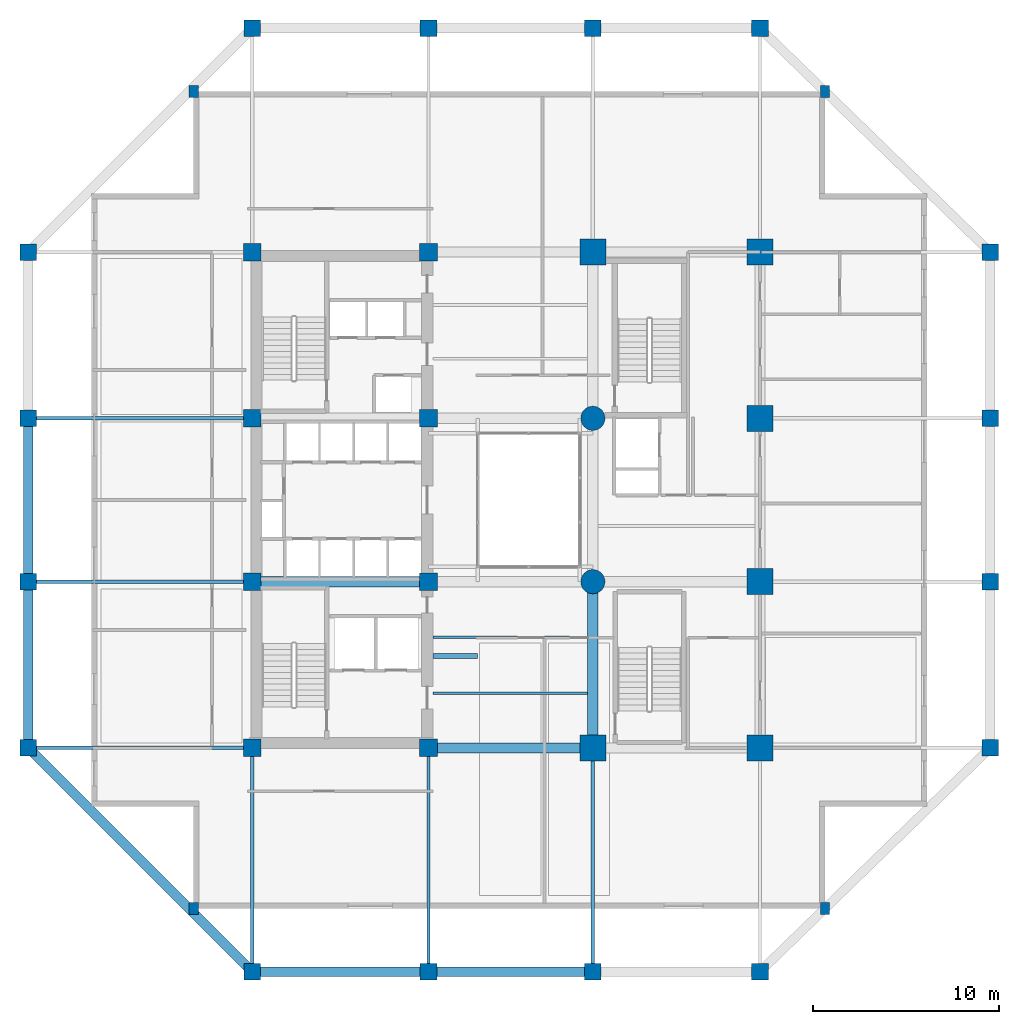
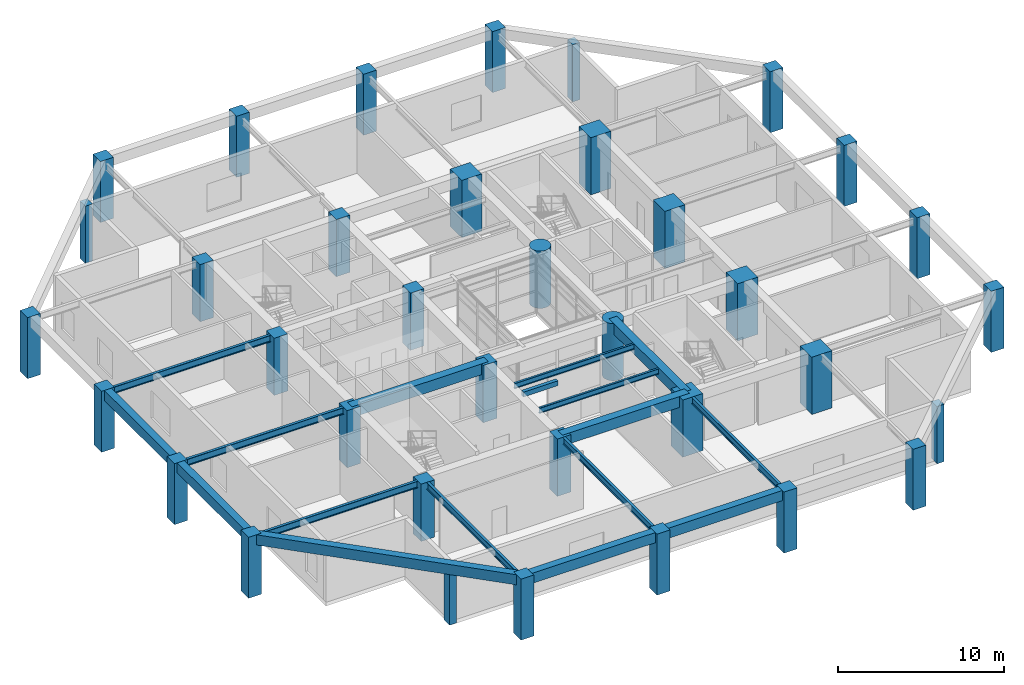
# One storey, part 1 of 13: 36 columns, 17 beams.
"""IFC4 building model written with IfcOpenShell, lengths in metres."""

from ifc_helpers import new_model, si_unit, direction, frame, origin, origin_2d, place, context, subcontext, project, spatial, rectangle, circle, i_section, extrude, material, material_profile, profile_set, type_object, element, save


model = new_model("IFC4")

# Units and contexts
model_context = context("Model", 3, precision=1e-05, world=origin(), true_north=direction((0.0, 1.0)))
body_context = subcontext(model_context, "Body", "Model", "MODEL_VIEW")
ifc_project = project(units=[si_unit("LENGTHUNIT", "METRE"), si_unit("AREAUNIT", "SQUARE_METRE"), si_unit("VOLUMEUNIT", "CUBIC_METRE"), si_unit("PLANEANGLEUNIT", "RADIAN"), si_unit("MASSUNIT", "GRAM", prefix="KILO")], contexts=[model_context])

# Site, building, storey
site_placement = place(None, origin())
site = spatial("IfcSite", under=ifc_project, at=site_placement, CompositionType="ELEMENT")
building_placement = place(site_placement, origin())
building = spatial("IfcBuilding", under=site, at=building_placement, Name="Kundavana Baori Tower", CompositionType="ELEMENT")
storey_placement = place(building_placement, frame((0.0, 0.0, 17.0)))
storey = spatial("IfcBuildingStorey", under=building, at=storey_placement, Name="L03", CompositionType="ELEMENT", Elevation=17.0)

# Columns
ifc_material_1 = material(Name="Concrete C60/75", Category="concrete")
ifc_material_profile_1 = material_profile(ifc_material_1, rectangle(XDim=0.89990234375, YDim=0.89990234375, at=origin_2d()), Name="RC PF 900x900")
ifc_profile_set_1 = profile_set([ifc_material_profile_1], Name="Concrete C60/75")
column_type_1 = type_object("IfcColumnType", Name="COL-PF-900", PredefinedType="COLUMN", material=ifc_profile_set_1)
for number, where, z_axis, x_axis, name in (
    (1, (15.449951171875, 3.199951171875, 0.0), (0.0, 0.0, 1.0), (1.0, 0.0, 0.0), "L03 Stone-Clad Perimeter Frame Column PF-S1"),
    (2, (15.449951171875, 54.0, 0.0), (0.0, 0.0, 1.0), (1.0, 0.0, 0.0), "L03 Stone-Clad Perimeter Frame Column PF-N1"),
    (3, (24.949951171875, 3.199951171875, 0.0), (0.0, 0.0, 1.0), (1.0, 0.0, 0.0), "L03 Stone-Clad Perimeter Frame Column PF-S2"),
    (4, (24.949951171875, 54.0, 0.0), (0.0, 0.0, 1.0), (1.0, 0.0, 0.0), "L03 Stone-Clad Perimeter Frame Column PF-N2"),
    (5, (33.800048828125, 3.199951171875, 0.0), (0.0, 0.0, 1.0), (1.0, 0.0, 0.0), "L03 Stone-Clad Perimeter Frame Column PF-S3"),
    (6, (33.800048828125, 54.0, 0.0), (0.0, 0.0, 1.0), (1.0, 0.0, 0.0), "L03 Stone-Clad Perimeter Frame Column PF-N3"),
    (7, (42.800048828125, 3.199951171875, 0.0), (0.0, 0.0, 1.0), (1.0, 0.0, 0.0), "L03 Stone-Clad Perimeter Frame Column PF-S4"),
    (8, (42.800048828125, 54.0, 0.0), (0.0, 0.0, 1.0), (1.0, 0.0, 0.0), "L03 Stone-Clad Perimeter Frame Column PF-N4"),
    (9, (3.39990234375, 15.25, 0.0), (0.0, 0.0, 1.0), (1.0, 0.0, 0.0), "L03 Stone-Clad Perimeter Frame Column PF-W1"),
    (10, (55.199951171875, 15.25, 0.0), (0.0, 0.0, 1.0), (1.0, 0.0, 0.0), "L03 Stone-Clad Perimeter Frame Column PF-E1"),
    (11, (3.39990234375, 24.199951171875, 0.0), (0.0, 0.0, 1.0), (1.0, 0.0, 0.0), "L03 Stone-Clad Perimeter Frame Column PF-W2"),
    (12, (55.199951171875, 24.199951171875, 0.0), (0.0, 0.0, 1.0), (1.0, 0.0, 0.0), "L03 Stone-Clad Perimeter Frame Column PF-E2"),
    (13, (3.39990234375, 33.0, 0.0), (0.0, 0.0, 1.0), (1.0, 0.0, 0.0), "L03 Stone-Clad Perimeter Frame Column PF-W3"),
    (14, (55.199951171875, 33.0, 0.0), (0.0, 0.0, 1.0), (1.0, 0.0, 0.0), "L03 Stone-Clad Perimeter Frame Column PF-E3"),
    (15, (3.39990234375, 41.949951171875, 0.0), (0.0, 0.0, 1.0), (1.0, 0.0, 0.0), "L03 Stone-Clad Perimeter Frame Column PF-W4"),
    (16, (55.199951171875, 41.949951171875, 0.0), (0.0, 0.0, 1.0), (1.0, 0.0, 0.0), "L03 Stone-Clad Perimeter Frame Column PF-E4"),
):
    element("IfcColumn", number, at=place(storey_placement, frame(where, z_axis=z_axis, x_axis=x_axis)), inside=storey, type_object=column_type_1, Name=name, PredefinedType="COLUMN", context=body_context, shape_type="SweptSolid", body=[
        extrude(rectangle(XDim=0.89990234375, YDim=0.89990234375, at=origin_2d()), origin(), (0.0, 0.0, 1.0), 4.5),
    ])
ifc_material_2 = material(Name="Concrete C50/60", Category="concrete")
ifc_material_profile_2 = material_profile(ifc_material_2, rectangle(XDim=0.5, YDim=0.64990234375, at=origin_2d()), Name="RC PIL 500x650")
ifc_profile_set_2 = profile_set([ifc_material_profile_2], Name="Concrete C50/60")
column_type_2 = type_object("IfcColumnType", Name="COL-PIL-500", PredefinedType="PILASTER", material=ifc_profile_set_2)
for number, where, z_axis, x_axis, name in (
    (17, (12.300048828125, 6.60009765625, 0.0), (0.0, 0.0, 1.0), (1.0, 0.0, 0.0), "L03 Corner Notch Pilaster 1"),
    (18, (46.300048828125, 6.60009765625, 0.0), (0.0, 0.0, 1.0), (1.0, 0.0, 0.0), "L03 Corner Notch Pilaster 2"),
    (19, (46.300048828125, 50.60009765625, 0.0), (0.0, 0.0, 1.0), (1.0, 0.0, 0.0), "L03 Corner Notch Pilaster 3"),
    (20, (12.300048828125, 50.60009765625, 0.0), (0.0, 0.0, 1.0), (1.0, 0.0, 0.0), "L03 Corner Notch Pilaster 4"),
):
    element("IfcColumn", number, at=place(storey_placement, frame(where, z_axis=z_axis, x_axis=x_axis)), inside=storey, type_object=column_type_2, Name=name, PredefinedType="PILASTER", context=body_context, shape_type="SweptSolid", body=[
        extrude(rectangle(XDim=0.5, YDim=0.64990234375, at=origin_2d()), origin(), (0.0, 0.0, 1.0), 4.219970703125),
    ])
ifc_material_3 = material(Name="Concrete C60/75", Category="concrete")
ifc_material_profile_3 = material_profile(ifc_material_3, rectangle(XDim=1.39990234375, YDim=1.39990234375, at=origin_2d()), Name="RC 1400x1400")
ifc_profile_set_3 = profile_set([ifc_material_profile_3], Name="Concrete C60/75")
column_type_3 = type_object("IfcColumnType", Name="COL-RC-1400", PredefinedType="COLUMN", material=ifc_profile_set_3)
for number, where, z_axis, x_axis, name in (
    (21, (33.800048828125, 15.25, 0.0), (0.0, 0.0, 1.0), (1.0, 0.0, 0.0), "L03 Interior Column IC-5C"),
    (22, (33.800048828125, 41.949951171875, 0.0), (0.0, 0.0, 1.0), (1.0, 0.0, 0.0), "L03 Interior Column IC-5F"),
    (23, (42.800048828125, 15.25, 0.0), (0.0, 0.0, 1.0), (1.0, 0.0, 0.0), "L03 Interior Column IC-6C"),
    (24, (42.800048828125, 24.199951171875, 0.0), (0.0, 0.0, 1.0), (1.0, 0.0, 0.0), "L03 Interior Column IC-6D"),
    (25, (42.800048828125, 33.0, 0.0), (0.0, 0.0, 1.0), (1.0, 0.0, 0.0), "L03 Interior Column IC-6E"),
    (26, (42.800048828125, 41.949951171875, 0.0), (0.0, 0.0, 1.0), (1.0, 0.0, 0.0), "L03 Interior Column IC-6F"),
):
    element("IfcColumn", number, at=place(storey_placement, frame(where, z_axis=z_axis, x_axis=x_axis)), inside=storey, type_object=column_type_3, Name=name, PredefinedType="COLUMN", context=body_context, shape_type="SweptSolid", body=[
        extrude(rectangle(XDim=1.39990234375, YDim=1.39990234375, at=origin_2d()), origin(), (0.0, 0.0, 1.0), 4.219970703125),
    ])
ifc_material_4 = material(Name="Concrete C50/60", Category="concrete")
ifc_material_profile_4 = material_profile(ifc_material_4, rectangle(XDim=0.949951171875, YDim=0.949951171875, at=origin_2d()), Name="RC 950x950")
ifc_profile_set_4 = profile_set([ifc_material_profile_4], Name="Concrete C50/60")
column_type_4 = type_object("IfcColumnType", Name="COL-RC-950", PredefinedType="COLUMN", material=ifc_profile_set_4)
for number, where, z_axis, x_axis, name in (
    (27, (15.449951171875, 15.25, 0.0), (0.0, 0.0, 1.0), (1.0, 0.0, 0.0), "L03 Interior Column IC-3C"),
    (28, (15.449951171875, 24.199951171875, 0.0), (0.0, 0.0, 1.0), (1.0, 0.0, 0.0), "L03 Interior Column IC-3D"),
    (29, (15.449951171875, 33.0, 0.0), (0.0, 0.0, 1.0), (1.0, 0.0, 0.0), "L03 Interior Column IC-3E"),
    (30, (15.449951171875, 41.949951171875, 0.0), (0.0, 0.0, 1.0), (1.0, 0.0, 0.0), "L03 Interior Column IC-3F"),
    (31, (24.949951171875, 15.25, 0.0), (0.0, 0.0, 1.0), (1.0, 0.0, 0.0), "L03 Interior Column IC-4C"),
    (32, (24.949951171875, 24.199951171875, 0.0), (0.0, 0.0, 1.0), (1.0, 0.0, 0.0), "L03 Interior Column IC-4D"),
    (33, (24.949951171875, 33.0, 0.0), (0.0, 0.0, 1.0), (1.0, 0.0, 0.0), "L03 Interior Column IC-4E"),
    (34, (24.949951171875, 41.949951171875, 0.0), (0.0, 0.0, 1.0), (1.0, 0.0, 0.0), "L03 Interior Column IC-4F"),
):
    element("IfcColumn", number, at=place(storey_placement, frame(where, z_axis=z_axis, x_axis=x_axis)), inside=storey, type_object=column_type_4, Name=name, PredefinedType="COLUMN", context=body_context, shape_type="SweptSolid", body=[
        extrude(rectangle(XDim=0.949951171875, YDim=0.949951171875, at=origin_2d()), origin(), (0.0, 0.0, 1.0), 4.219970703125),
    ])
ifc_material_5 = material(Name="Concrete C60/75", Category="concrete")
ifc_material_profile_5 = material_profile(ifc_material_5, circle(Radius=0.64990234375, at=origin_2d()), Name="RC D1300")
ifc_profile_set_5 = profile_set([ifc_material_profile_5], Name="Concrete C60/75")
column_type_5 = type_object("IfcColumnType", Name="COL-RC-D1300", PredefinedType="COLUMN", material=ifc_profile_set_5)
for number, where, z_axis, x_axis, name in (
    (35, (33.800048828125, 24.199951171875, 0.0), (0.0, 0.0, 1.0), (1.0, 0.0, 0.0), "L03 Interior Column IC-5D"),
    (36, (33.800048828125, 33.0, 0.0), (0.0, 0.0, 1.0), (1.0, 0.0, 0.0), "L03 Interior Column IC-5E"),
):
    element("IfcColumn", number, at=place(storey_placement, frame(where, z_axis=z_axis, x_axis=x_axis)), inside=storey, type_object=column_type_5, Name=name, PredefinedType="COLUMN", context=body_context, shape_type="SweptSolid", body=[
        extrude(circle(Radius=0.64990234375, at=origin_2d()), origin(), (0.0, 0.0, 1.0), 4.219970703125),
    ])

# Beams
ifc_material_6 = material(Name="Structural Steel S355JR", Category="steel")
ifc_material_profile_6 = material_profile(ifc_material_6, i_section(OverallWidth=0.139892578125, OverallDepth=0.39990234375, WebThickness=0.0087890625, FlangeThickness=0.01611328125, FilletRadius=0.013916015625, at=origin_2d()), Name="ISMB 400")
ifc_profile_set_6 = profile_set([ifc_material_profile_6], Name="Structural Steel S355JR")
beam_type_1 = type_object("IfcBeamType", Name="BM-JST-400", PredefinedType="JOIST", material=ifc_profile_set_6)
for number, where, z_axis, x_axis, name in (
    (37, (25.179931640625, 18.199951171875, 4.02001953125), (1.0, 0.0, 0.0), (0.0, 1.0, 0.0), "L03 Central Bay Composite Floor Joist C1"),
    (38, (25.179931640625, 21.199951171875, 4.02001953125), (1.0, 0.0, 0.0), (0.0, 1.0, 0.0), "L03 Central Bay Composite Floor Joist C2"),
):
    element("IfcBeam", number, at=place(storey_placement, frame(where, z_axis=z_axis, x_axis=x_axis)), inside=storey, type_object=beam_type_1, Name=name, PredefinedType="JOIST", context=body_context, shape_type="SweptSolid", body=[
        extrude(i_section(OverallWidth=0.139892578125, OverallDepth=0.39990234375, WebThickness=0.0087890625, FlangeThickness=0.01611328125, FilletRadius=0.013916015625, at=origin_2d()), origin(), (0.0, 0.0, 1.0), 8.344970703125),
    ])
ifc_material_7 = material(Name="Concrete C40/50", Category="concrete")
ifc_material_profile_7 = material_profile(ifc_material_7, rectangle(XDim=0.25, YDim=0.35009765625, at=origin_2d()), Name="RC LNT 250x350")
ifc_profile_set_7 = profile_set([ifc_material_profile_7], Name="Concrete C40/50")
beam_type_2 = type_object("IfcBeamType", Name="BM-LNT-350", PredefinedType="LINTEL", material=ifc_profile_set_7)
beam_1_placement = place(storey_placement, frame((25.179931640625, 20.199951171875, 4.044921875), z_axis=(1.0, 0.0, 0.0), x_axis=(0.0, 1.0, 0.0)))
element("IfcBeam", 39, at=beam_1_placement, inside=storey, type_object=beam_type_2, Name="L03 Atrium Gallery Portal Lintel Beam", PredefinedType="LINTEL", context=body_context, shape_type="SweptSolid", body=[
    extrude(rectangle(XDim=0.25, YDim=0.35009765625, at=origin_2d()), origin(), (0.0, 0.0, 1.0), 2.420166015625),
])
ifc_material_8 = material(Name="Concrete C50/60", Category="concrete")
ifc_material_profile_8 = material_profile(ifc_material_8, rectangle(XDim=0.5, YDim=0.75, at=origin_2d()), Name="RC BM 500x750")
ifc_profile_set_8 = profile_set([ifc_material_profile_8], Name="Concrete C50/60")
beam_type_3 = type_object("IfcBeamType", Name="BM-PF-750", PredefinedType="SPANDREL", material=ifc_profile_set_8)
beam_2_placement = place(storey_placement, frame((15.449951171875, 3.199951171875, 4.125), z_axis=(1.0, 0.0, 0.0), x_axis=(0.0, 1.0, 0.0)))
element("IfcBeam", 40, at=beam_2_placement, inside=storey, type_object=beam_type_3, Name="L03 Perimeter Frame Ring Beam S1", PredefinedType="SPANDREL", context=body_context, shape_type="SweptSolid", body=[
    extrude(rectangle(XDim=0.5, YDim=0.75, at=origin_2d()), origin(), (0.0, 0.0, 1.0), 9.5),
])
beam_3_placement = place(storey_placement, frame((24.949951171875, 3.199951171875, 4.125), z_axis=(1.0, 0.0, 0.0), x_axis=(0.0, 1.0, 0.0)))
element("IfcBeam", 41, at=beam_3_placement, inside=storey, type_object=beam_type_3, Name="L03 Perimeter Frame Ring Beam S2", PredefinedType="SPANDREL", context=body_context, shape_type="SweptSolid", body=[
    extrude(rectangle(XDim=0.5, YDim=0.75, at=origin_2d()), origin(), (0.0, 0.0, 1.0), 8.85009765625),
])
beam_4_placement = place(storey_placement, frame((3.39990234375, 15.25, 4.125), z_axis=(0.0, 1.0, 0.0), x_axis=(-1.0, 0.0, 0.0)))
element("IfcBeam", 42, at=beam_4_placement, inside=storey, type_object=beam_type_3, Name="L03 Perimeter Frame Ring Beam W1", PredefinedType="SPANDREL", context=body_context, shape_type="SweptSolid", body=[
    extrude(rectangle(XDim=0.5, YDim=0.75, at=origin_2d()), origin(), (0.0, 0.0, 1.0), 8.949951171875),
])
beam_5_placement = place(storey_placement, frame((3.39990234375, 24.199951171875, 4.125), z_axis=(0.0, 1.0, 0.0), x_axis=(-1.0, 0.0, 0.0)))
element("IfcBeam", 43, at=beam_5_placement, inside=storey, type_object=beam_type_3, Name="L03 Perimeter Frame Ring Beam W2", PredefinedType="SPANDREL", context=body_context, shape_type="SweptSolid", body=[
    extrude(rectangle(XDim=0.5, YDim=0.75, at=origin_2d()), origin(), (0.0, 0.0, 1.0), 8.800048828125),
])
beam_6_placement = place(storey_placement, frame((15.449951171875, 3.199951171875, 4.125), z_axis=(-0.707106781187, 0.707106781187, 0.0), x_axis=(-0.707106781187, -0.707106781187, 0.0)))
element("IfcBeam", 44, at=beam_6_placement, inside=storey, type_object=beam_type_3, Name="L03 Notched Corner Perimeter Beam SW", PredefinedType="SPANDREL", context=body_context, shape_type="SweptSolid", body=[
    extrude(rectangle(XDim=0.5, YDim=0.75, at=origin_2d()), origin(), (0.0, 0.0, 1.0), 17.041259765625),
])
ifc_material_9 = material(Name="Concrete C50/60", Category="concrete")
ifc_material_profile_9 = material_profile(ifc_material_9, rectangle(XDim=0.550048828125, YDim=0.800048828125, at=origin_2d()), Name="RC BM 550x800")
ifc_profile_set_9 = profile_set([ifc_material_profile_9], Name="Concrete C50/60")
beam_type_4 = type_object("IfcBeamType", Name="BM-RC-800", PredefinedType="BEAM", material=ifc_profile_set_9)
beam_7_placement = place(storey_placement, frame((24.949951171875, 15.25, 3.820068359375), z_axis=(1.0, 0.0, 0.0), x_axis=(0.0, 1.0, 0.0)))
element("IfcBeam", 45, at=beam_7_placement, inside=storey, type_object=beam_type_4, Name="L03 Primary Grid Girder GX-1-2", PredefinedType="BEAM", context=body_context, shape_type="SweptSolid", body=[
    extrude(rectangle(XDim=0.550048828125, YDim=0.800048828125, at=origin_2d()), origin(), (0.0, 0.0, 1.0), 8.85009765625),
])
beam_8_placement = place(storey_placement, frame((15.449951171875, 24.199951171875, 3.820068359375), z_axis=(1.0, 0.0, 0.0), x_axis=(0.0, 1.0, 0.0)))
element("IfcBeam", 46, at=beam_8_placement, inside=storey, type_object=beam_type_4, Name="L03 Primary Grid Girder GX-2-1", PredefinedType="BEAM", context=body_context, shape_type="SweptSolid", body=[
    extrude(rectangle(XDim=0.550048828125, YDim=0.800048828125, at=origin_2d()), origin(), (0.0, 0.0, 1.0), 9.5),
])
beam_9_placement = place(storey_placement, frame((33.800048828125, 15.25, 3.820068359375), z_axis=(0.0, 1.0, 0.0), x_axis=(-1.0, 0.0, 0.0)))
element("IfcBeam", 47, at=beam_9_placement, inside=storey, type_object=beam_type_4, Name="L03 Primary Grid Girder GY-3-1", PredefinedType="BEAM", context=body_context, shape_type="SweptSolid", body=[
    extrude(rectangle(XDim=0.550048828125, YDim=0.800048828125, at=origin_2d()), origin(), (0.0, 0.0, 1.0), 8.949951171875),
])
ifc_material_10 = material(Name="Structural Steel S355JR", Category="steel")
ifc_material_profile_10 = material_profile(ifc_material_10, i_section(OverallWidth=0.179931640625, OverallDepth=0.5, WebThickness=0.01025390625, FlangeThickness=0.01708984375, FilletRadius=0.01708984375, at=origin_2d()), Name="ISMB 500")
ifc_profile_set_10 = profile_set([ifc_material_profile_10], Name="Structural Steel S355JR")
beam_type_5 = type_object("IfcBeamType", Name="BM-TIE-500", PredefinedType="BEAM", material=ifc_profile_set_10)
for number, where, z_axis, x_axis, name in (
    (48, (15.449951171875, 15.25, 3.969970703125), (0.0, -1.0, 0.0), (1.0, 0.0, 0.0), "L03 South Radial Loggia Tie Beam S1"),
    (49, (24.949951171875, 15.25, 3.969970703125), (0.0, -1.0, 0.0), (1.0, 0.0, 0.0), "L03 South Radial Loggia Tie Beam S2"),
    (50, (33.800048828125, 15.25, 3.969970703125), (0.0, -1.0, 0.0), (1.0, 0.0, 0.0), "L03 South Radial Loggia Tie Beam S3"),
    (51, (15.449951171875, 15.25, 3.969970703125), (-1.0, 0.0, 0.0), (0.0, -1.0, 0.0), "L03 West Radial Loggia Tie Beam W1"),
    (52, (15.449951171875, 24.199951171875, 3.969970703125), (-1.0, 0.0, 0.0), (0.0, -1.0, 0.0), "L03 West Radial Loggia Tie Beam W2"),
    (53, (15.449951171875, 33.0, 3.969970703125), (-1.0, 0.0, 0.0), (0.0, -1.0, 0.0), "L03 West Radial Loggia Tie Beam W3"),
):
    element("IfcBeam", number, at=place(storey_placement, frame(where, z_axis=z_axis, x_axis=x_axis)), inside=storey, type_object=beam_type_5, Name=name, PredefinedType="BEAM", context=body_context, shape_type="SweptSolid", body=[
        extrude(i_section(OverallWidth=0.179931640625, OverallDepth=0.5, WebThickness=0.01025390625, FlangeThickness=0.01708984375, FilletRadius=0.01708984375, at=origin_2d()), origin(), (0.0, 0.0, 1.0), 12.050048828125),
    ])

save(model, "model.ifc")
